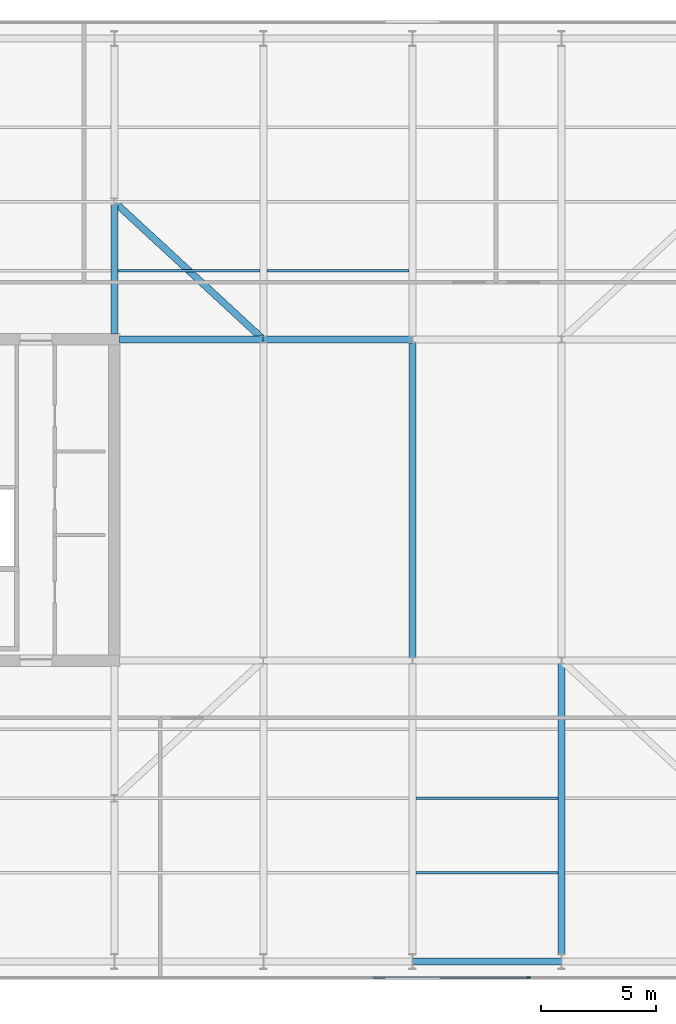
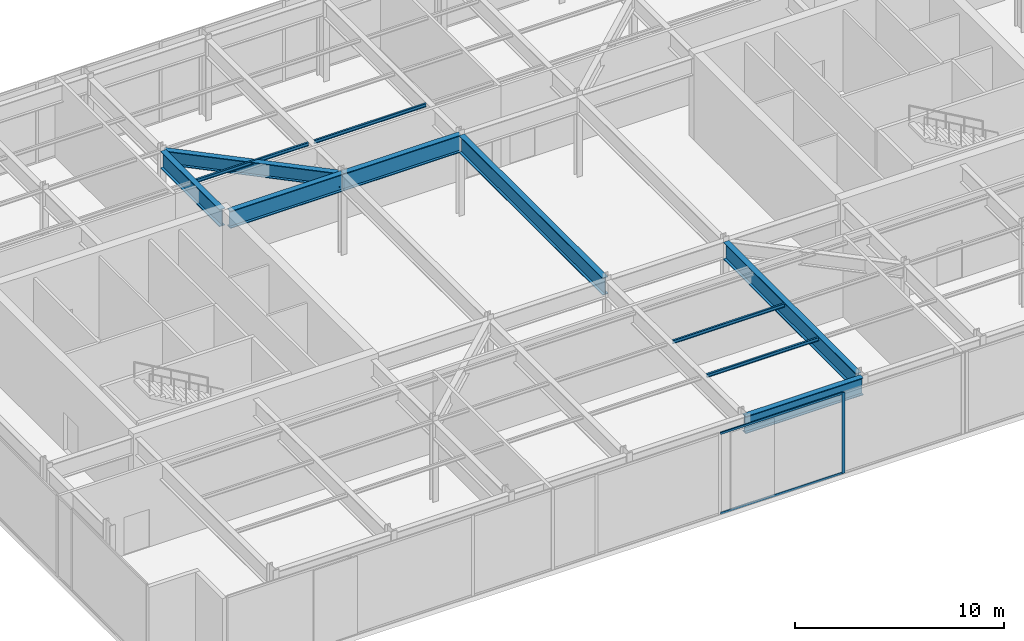
# One storey, part 8 of 23: 11 beams, 3 members, 1 element without a shape of its own.
"""IFC4 building model written with IfcOpenShell, lengths in metres."""

from ifc_helpers import new_model, si_unit, direction, frame, origin, origin_2d, place, context, subcontext, project, spatial, rectangle, i_section, extrude, material, layer, layer_set, material_profile, profile_set, type_object, element, aggregate, save


model = new_model("IFC4")

# Units and contexts
model_context = context("Model", 3, precision=1e-05, world=origin(), true_north=direction((0.0, 1.0)))
body_context = subcontext(model_context, "Body", "Model", "MODEL_VIEW")
ifc_project = project(units=[si_unit("LENGTHUNIT", "METRE"), si_unit("AREAUNIT", "SQUARE_METRE"), si_unit("VOLUMEUNIT", "CUBIC_METRE"), si_unit("PLANEANGLEUNIT", "RADIAN"), si_unit("MASSUNIT", "GRAM", prefix="KILO")], contexts=[model_context])

# Site, building, storey
site_placement = place(None, origin())
site = spatial("IfcSite", under=ifc_project, at=site_placement, CompositionType="ELEMENT")
building_placement = place(site_placement, origin())
building = spatial("IfcBuilding", under=site, at=building_placement, Name="Putna Gate Headquarters", CompositionType="ELEMENT")
storey_placement = place(building_placement, frame((0.0, 0.0, 310.39990234375)))
storey = spatial("IfcBuildingStorey", under=building, at=storey_placement, Name="L78", CompositionType="ELEMENT", Elevation=310.39990234375)

# Beams
ifc_material_1 = material(Name="Steel S355J2", Category="steel")
ifc_material_profile_1 = material_profile(ifc_material_1, i_section(OverallWidth=0.300048828125, OverallDepth=0.800048828125, WebThickness=0.017578125, FlangeThickness=0.032958984375, at=origin_2d()), Name="Steel S355J2")
ifc_profile_set_1 = profile_set([ifc_material_profile_1], Name="Steel S355J2")
beam_type_1 = type_object("IfcBeamType", Name="BM-GIRD-P-HEB800", PredefinedType="USERDEFINED", material=ifc_profile_set_1)
beam_1_placement = place(storey_placement, frame((26.07568359375, 38.93017578125, 4.320068359375), z_axis=(0.734799111247, -0.678284797199, 0.0), x_axis=(0.678284797199, 0.734799111247, 0.0)))
element("IfcBeam", 1, at=beam_1_placement, inside=storey, type_object=beam_type_1, Name="L78 Core Flank Collector Tie Girder NW", ObjectType="GIRDER", PredefinedType="USERDEFINED", context=body_context, shape_type="SweptSolid", body=[
    extrude(i_section(OverallWidth=0.300048828125, OverallDepth=0.800048828125, WebThickness=0.017578125, FlangeThickness=0.032958984375, at=origin_2d()), origin(), (0.0, 0.0, 1.0), 8.639892578125),
])
ifc_material_profile_2 = material_profile(ifc_material_1, i_section(OverallWidth=0.10009765625, OverallDepth=0.199951171875, WebThickness=0.005615234375, FlangeThickness=0.008544921875, at=origin_2d()), Name="Steel S355J2")
ifc_profile_set_2 = profile_set([ifc_material_profile_2], Name="Steel S355J2")
beam_type_2 = type_object("IfcBeamType", Name="BM-SEC-PLT-IPE200", PredefinedType="JOIST", material=ifc_profile_set_2)
for number, where, z_axis, x_axis, name in (
    (2, (26.155029296875, 36.0, 4.6201171875), (1.0, 0.0, 0.0), (0.0, 1.0, 0.0), "L78 North Secondary Beam 3"),
    (3, (32.655029296875, 36.0, 4.6201171875), (1.0, 0.0, 0.0), (0.0, 1.0, 0.0), "L78 North Secondary Beam 4"),
    (4, (39.155029296875, 9.75, 4.6201171875), (1.0, 0.0, 0.0), (0.0, 1.0, 0.0), "L78 South Secondary Beam 5"),
    (5, (39.155029296875, 13.0, 4.6201171875), (1.0, 0.0, 0.0), (0.0, 1.0, 0.0), "L78 South Secondary Beam 5"),
):
    element("IfcBeam", number, at=place(storey_placement, frame(where, z_axis=z_axis, x_axis=x_axis)), inside=storey, type_object=beam_type_2, Name=name, PredefinedType="JOIST", context=body_context, shape_type="SweptSolid", body=[
        extrude(i_section(OverallWidth=0.10009765625, OverallDepth=0.199951171875, WebThickness=0.005615234375, FlangeThickness=0.008544921875, at=origin_2d()), origin(), (0.0, 0.0, 1.0), 6.18994140625),
    ])
ifc_material_2 = material(Name="Steel S460M", Category="steel")
ifc_material_profile_3 = material_profile(ifc_material_2, i_section(OverallWidth=0.302001953125, OverallDepth=1.008056640625, WebThickness=0.02099609375, FlangeThickness=0.0400390625, at=origin_2d()), Name="Steel S460M")
ifc_profile_set_3 = profile_set([ifc_material_profile_3], Name="Steel S460M")
beam_type_3 = type_object("IfcBeamType", Name="BM-TG-HEM1000", PredefinedType="USERDEFINED", material=ifc_profile_set_3)
beam_2_placement = place(storey_placement, frame((26.0, 33.235107421875, 4.216064453125), z_axis=(0.0, 1.0, 0.0), x_axis=(-1.0, 0.0, 0.0)))
element("IfcBeam", 6, at=beam_2_placement, inside=storey, type_object=beam_type_3, Name="L78 North Primary Girder X26-1", ObjectType="GIRDER", PredefinedType="USERDEFINED", context=body_context, shape_type="SweptSolid", body=[
    extrude(i_section(OverallWidth=0.302001953125, OverallDepth=1.008056640625, WebThickness=0.02099609375, FlangeThickness=0.0400390625, at=origin_2d()), origin(), (0.0, 0.0, 1.0), 5.626953125),
])
beam_3_placement = place(storey_placement, frame((45.5, 6.201904296875, 4.216064453125), z_axis=(0.0, 1.0, 0.0), x_axis=(-1.0, 0.0, 0.0)))
element("IfcBeam", 7, at=beam_3_placement, inside=storey, type_object=beam_type_3, Name="L78 South Primary Girder X45", ObjectType="GIRDER", PredefinedType="USERDEFINED", context=body_context, shape_type="SweptSolid", body=[
    extrude(i_section(OverallWidth=0.302001953125, OverallDepth=1.008056640625, WebThickness=0.02099609375, FlangeThickness=0.0400390625, at=origin_2d()), origin(), (0.0, 0.0, 1.0), 12.66015625),
])
beam_4_placement = place(storey_placement, frame((26.235107421875, 33.0, 4.216064453125), z_axis=(1.0, 0.0, 0.0), x_axis=(0.0, 1.0, 0.0)))
element("IfcBeam", 8, at=beam_4_placement, inside=storey, type_object=beam_type_3, Name="L78 Atrium Edge Beam AN1", ObjectType="GIRDER", PredefinedType="USERDEFINED", context=body_context, shape_type="SweptSolid", body=[
    extrude(i_section(OverallWidth=0.302001953125, OverallDepth=1.008056640625, WebThickness=0.02099609375, FlangeThickness=0.0400390625, at=origin_2d()), origin(), (0.0, 0.0, 1.0), 6.2587890625),
])
beam_5_placement = place(storey_placement, frame((32.506103515625, 33.0, 4.216064453125), z_axis=(1.0, 0.0, 0.0), x_axis=(0.0, 1.0, 0.0)))
element("IfcBeam", 9, at=beam_5_placement, inside=storey, type_object=beam_type_3, Name="L78 Atrium Edge Beam AN2", ObjectType="GIRDER", PredefinedType="USERDEFINED", context=body_context, shape_type="SweptSolid", body=[
    extrude(i_section(OverallWidth=0.302001953125, OverallDepth=1.008056640625, WebThickness=0.02099609375, FlangeThickness=0.0400390625, at=origin_2d()), origin(), (0.0, 0.0, 1.0), 6.48779296875),
])
beam_6_placement = place(storey_placement, frame((39.0, 19.137939453125, 4.216064453125), z_axis=(0.0, 1.0, 0.0), x_axis=(-1.0, 0.0, 0.0)))
element("IfcBeam", 10, at=beam_6_placement, inside=storey, type_object=beam_type_3, Name="L78 Plant Floor Central Tie Girder X39", ObjectType="GIRDER", PredefinedType="USERDEFINED", context=body_context, shape_type="SweptSolid", body=[
    extrude(i_section(OverallWidth=0.302001953125, OverallDepth=1.008056640625, WebThickness=0.02099609375, FlangeThickness=0.0400390625, at=origin_2d()), origin(), (0.0, 0.0, 1.0), 13.72412109375),
])
ifc_material_profile_4 = material_profile(ifc_material_2, i_section(OverallWidth=0.302001953125, OverallDepth=1.008056640625, WebThickness=0.02099609375, FlangeThickness=0.0400390625, at=origin_2d()), Name="Steel S460M")
ifc_profile_set_4 = profile_set([ifc_material_profile_4], Name="Steel S460M")
beam_type_4 = type_object("IfcBeamType", Name="BM-TG-HEM1000-EXT", PredefinedType="USERDEFINED", material=ifc_profile_set_4)
beam_7_placement = place(storey_placement, frame((39.006103515625, 5.8798828125, 4.216064453125), z_axis=(1.0, 0.0, 0.0), x_axis=(0.0, 1.0, 0.0)))
element("IfcBeam", 11, at=beam_7_placement, inside=storey, type_object=beam_type_4, Name="L78 S Perimeter Spandrel 5", ObjectType="GIRDER", PredefinedType="USERDEFINED", context=body_context, shape_type="SweptSolid", body=[
    extrude(i_section(OverallWidth=0.302001953125, OverallDepth=1.008056640625, WebThickness=0.02099609375, FlangeThickness=0.0400390625, at=origin_2d()), origin(), (0.0, 0.0, 1.0), 6.48779296875),
])

# Curtain wall, members
ifc_material_3 = material(Name="Anodised bronze aluminium curtain wall", Category="aluminium")
ifc_layer = layer(ifc_material_3, 0.159912109375)
ifc_layer_set = layer_set([ifc_layer], Name="Anodised bronze aluminium curtain wall")
curtain_wall_type = type_object("IfcCurtainWallType", Name="CW-SYS-CRN", PredefinedType="USERDEFINED", material=ifc_layer_set)
curtain_wall_placement = place(storey_placement, origin())
curtain_wall = element("IfcCurtainWall", 12, at=curtain_wall_placement, inside=storey, type_object=curtain_wall_type, Name="L78 Acoustic Louvre South Enclosure", ObjectType="STICK CURTAIN WALL", PredefinedType="USERDEFINED")
ifc_material_4 = material(Name="Anodised bronze aluminium EN AW-6060", Category="aluminium")
ifc_material_profile_5 = material_profile(ifc_material_4, rectangle(XDim=0.06494140625, YDim=0.159912109375, at=origin_2d()), Name="Anodised bronze aluminium EN AW-6060")
ifc_profile_set_5 = profile_set([ifc_material_profile_5], Name="Anodised bronze aluminium EN AW-6060")
member_type_1 = type_object("IfcMemberType", Name="MULL-CWM-CR", PredefinedType="MULLION", material=ifc_profile_set_5)
member_1_placement = place(storey_placement, frame((44.0556640625, 5.179931640625, 0.0), z_axis=(0.0, 0.0, 1.0), x_axis=(0.0, 1.0, 0.0)))
member_1 = element("IfcMember", 13, at=member_1_placement, type_object=member_type_1, Name="CWS-CR mullion 6", PredefinedType="MULLION", context=body_context, shape_type="SweptSolid", body=[
    extrude(rectangle(XDim=0.06494140625, YDim=0.159912109375, at=origin_2d()), origin(), (0.0, 0.0, 1.0), 4.72021484375),
])
ifc_material_profile_6 = material_profile(ifc_material_4, rectangle(XDim=0.06494140625, YDim=0.1201171875, at=origin_2d()), Name="Anodised bronze aluminium EN AW-6060")
ifc_profile_set_6 = profile_set([ifc_material_profile_6], Name="Anodised bronze aluminium EN AW-6060")
member_type_2 = type_object("IfcMemberType", Name="TRAN-CWT-CR", PredefinedType="USERDEFINED", material=ifc_profile_set_6)
member_2_placement = place(storey_placement, frame((37.27685546875, 5.179931640625, 0.03271484375), z_axis=(1.0, 0.0, 0.0), x_axis=(0.0, 1.0, 0.0)))
member_2 = element("IfcMember", 14, at=member_2_placement, type_object=member_type_2, Name="CWS-CR transom 5.1", ObjectType="TRANSOM", PredefinedType="USERDEFINED", context=body_context, shape_type="SweptSolid", body=[
    extrude(rectangle(XDim=0.06494140625, YDim=0.1201171875, at=origin_2d()), origin(), (0.0, 0.0, 1.0), 6.74609375),
])
member_3_placement = place(storey_placement, frame((37.27685546875, 5.179931640625, 4.6875), z_axis=(1.0, 0.0, 0.0), x_axis=(0.0, 1.0, 0.0)))
member_3 = element("IfcMember", 15, at=member_3_placement, type_object=member_type_2, Name="CWS-CR transom 5.2", ObjectType="TRANSOM", PredefinedType="USERDEFINED", context=body_context, shape_type="SweptSolid", body=[
    extrude(rectangle(XDim=0.06494140625, YDim=0.1201171875, at=origin_2d()), origin(), (0.0, 0.0, 1.0), 6.74609375),
])
aggregate(curtain_wall, [member_1, member_2, member_3])

save(model, "model.ifc")
